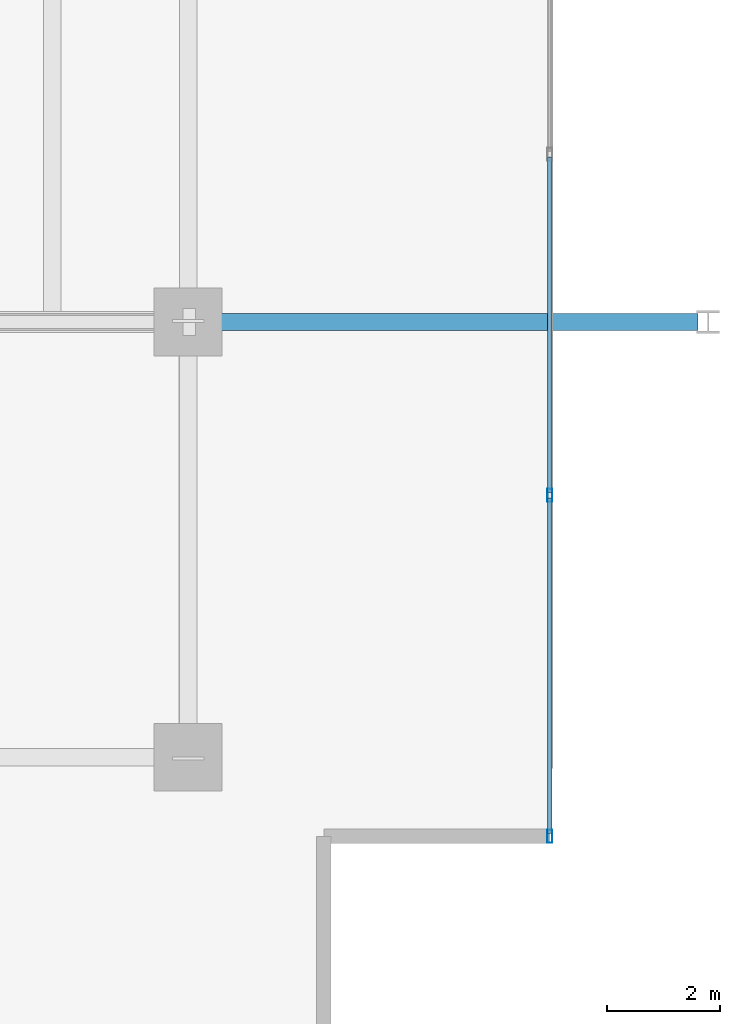
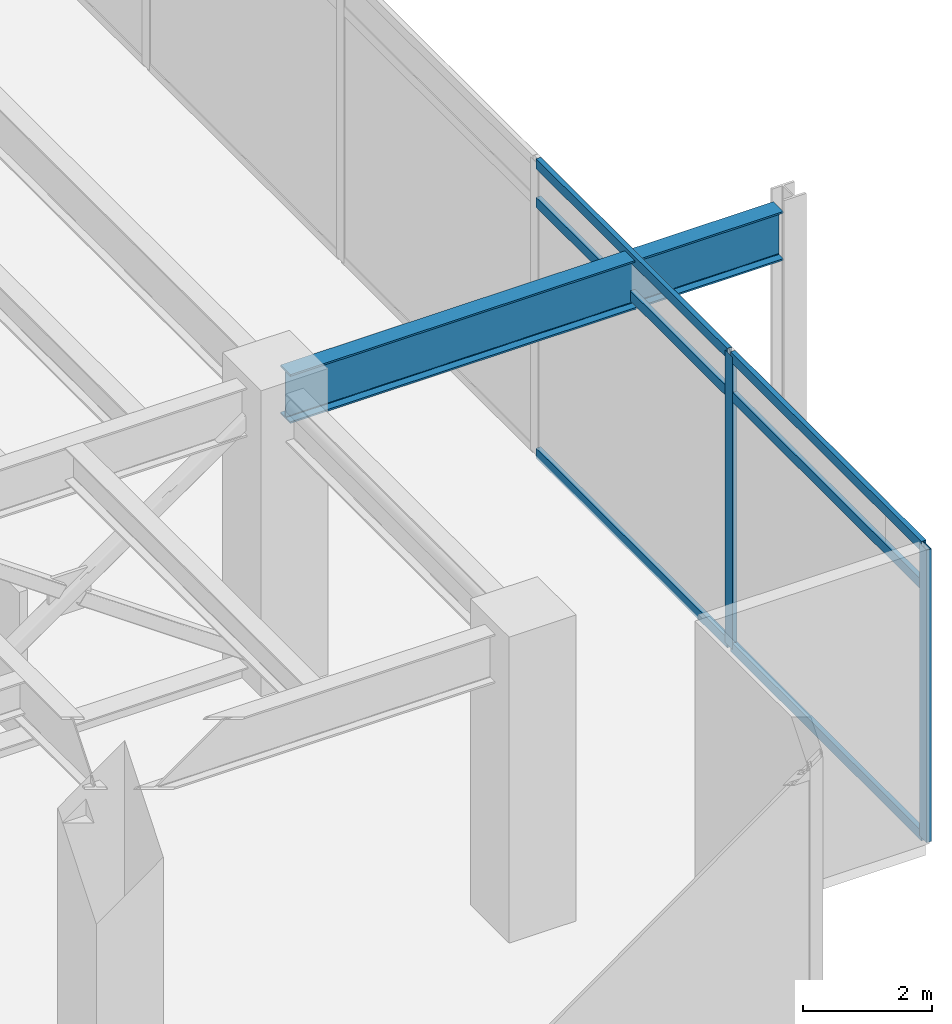
# One storey, part 9 of 26: 8 members, 1 beam, 1 element without a shape of its own.
"""IFC4 building model written with IfcOpenShell, lengths in metres."""

from ifc_helpers import new_model, si_unit, direction, frame, origin, origin_2d, place, context, subcontext, project, spatial, hollow_rectangle, i_section, extrude, material, material_profile, profile_set, type_object, element, aggregate, save


model = new_model("IFC4")

# Units and contexts
model_context = context("Model", 3, precision=1e-05, world=origin(), true_north=direction((0.0, 1.0)))
body_context = subcontext(model_context, "Body", "Model", "MODEL_VIEW")
ifc_project = project(units=[si_unit("LENGTHUNIT", "METRE"), si_unit("AREAUNIT", "SQUARE_METRE"), si_unit("VOLUMEUNIT", "CUBIC_METRE"), si_unit("PLANEANGLEUNIT", "RADIAN"), si_unit("MASSUNIT", "GRAM", prefix="KILO")], contexts=[model_context])

# Site, building, storey
site_placement = place(None, origin())
site = spatial("IfcSite", under=ifc_project, at=site_placement, CompositionType="ELEMENT")
building_placement = place(site_placement, origin())
building = spatial("IfcBuilding", under=site, at=building_placement, Name="Kovane Verandah Tower", CompositionType="ELEMENT")
storey_placement = place(building_placement, frame((0.0, 0.0, 301.0)))
storey = spatial("IfcBuildingStorey", under=building, at=storey_placement, Name="L70", CompositionType="ELEMENT", Elevation=301.0)

# Beam
ifc_material_1 = material(Name="Steel S460", Category="steel")
ifc_material_profile_1 = material_profile(ifc_material_1, i_section(OverallWidth=0.3076171875, OverallDepth=0.926513671875, WebThickness=0.01953125, FlangeThickness=0.031982421875, FilletRadius=0.01904296875, at=origin_2d()), Name="UB914x305x289")
ifc_profile_set_1 = profile_set([ifc_material_profile_1], Name="Steel S460")
beam_type = type_object("IfcBeamType", Name="BM-UB914x289", PredefinedType="BEAM", material=ifc_profile_set_1)
beam_placement = place(storey_placement, frame((58.580078125, 18.5, 5.0966796875), z_axis=(1.0, 0.0, 0.0), x_axis=(0.0, 1.0, 0.0)))
element("IfcBeam", 1, at=beam_placement, inside=storey, type_object=beam_type, Name="L70 Primary Tower Girder G-VE1", PredefinedType="BEAM", context=body_context, shape_type="SweptSolid", body=[
    extrude(i_section(OverallWidth=0.3076171875, OverallDepth=0.926513671875, WebThickness=0.01953125, FlangeThickness=0.031982421875, FilletRadius=0.01904296875, at=origin_2d()), origin(), (0.0, 0.0, 1.0), 8.83984375),
])

# Curtain wall, members
ifc_material_2 = material(Name="Champagne Anodised Aluminium Frame with Low-E Clear Laminated Glass", Category="aluminium")
curtain_wall_type = type_object("IfcCurtainWallType", Name="CW-SYS-05-HIGH", PredefinedType="NOTDEFINED", material=ifc_material_2)
curtain_wall_placement = place(storey_placement, origin())
curtain_wall = element("IfcCurtainWall", 2, at=curtain_wall_placement, inside=storey, type_object=curtain_wall_type, Name="L70 E Unitised Curtain Wall", PredefinedType="NOTDEFINED")
ifc_material_3 = material(Name="Champagne Anodised Aluminium 6063-T6", Category="aluminium")
ifc_material_profile_2 = material_profile(ifc_material_3, hollow_rectangle(XDim=0.0849609375, YDim=0.22998046875, WallThickness=0.00390625, at=origin_2d()), Name="AL85x230x4")
ifc_profile_set_2 = profile_set([ifc_material_profile_2], Name="Champagne Anodised Aluminium 6063-T6")
member_type_1 = type_object("IfcMemberType", Name="CW-MUL-85x230", PredefinedType="MULLION", material=ifc_profile_set_2)
member_1_placement = place(storey_placement, frame((64.800048828125, 9.39990234375, 0.02001953125), z_axis=(0.0, 0.0, 1.0), x_axis=(1.0, 0.0, 0.0)))
member_1 = element("IfcMember", 3, at=member_1_placement, type_object=member_type_1, Name="L70 E Unitised Curtain Wall Mullion 1", PredefinedType="MULLION", context=body_context, shape_type="SweptSolid", body=[
    extrude(hollow_rectangle(XDim=0.0849609375, YDim=0.22998046875, WallThickness=0.00390625, at=origin_2d()), origin(), (0.0, 0.0, 1.0), 5.544921875),
])
member_2_placement = place(storey_placement, frame((64.800048828125, 15.433349609375, 0.02001953125), z_axis=(0.0, 0.0, 1.0), x_axis=(1.0, 0.0, 0.0)))
member_2 = element("IfcMember", 4, at=member_2_placement, type_object=member_type_1, Name="L70 E Unitised Curtain Wall Mullion 2", PredefinedType="MULLION", context=body_context, shape_type="SweptSolid", body=[
    extrude(hollow_rectangle(XDim=0.0849609375, YDim=0.22998046875, WallThickness=0.00390625, at=origin_2d()), origin(), (0.0, 0.0, 1.0), 5.544921875),
])
ifc_material_profile_3 = material_profile(ifc_material_3, hollow_rectangle(XDim=0.0849609375, YDim=0.18994140625, WallThickness=0.00390625, at=origin_2d()), Name="AL85x190x4")
ifc_profile_set_3 = profile_set([ifc_material_profile_3], Name="Champagne Anodised Aluminium 6063-T6")
member_type_2 = type_object("IfcMemberType", Name="CW-TRN-85x190", PredefinedType="USERDEFINED", material=ifc_profile_set_3)
member_3_placement = place(storey_placement, frame((64.800048828125, 9.449951171875, 0.050048828125), z_axis=(0.0, 1.0, 0.0), x_axis=(-1.0, 0.0, 0.0)))
member_3 = element("IfcMember", 5, at=member_3_placement, type_object=member_type_2, Name="L70 E Unitised Curtain Wall Transom TB Bay 1", ObjectType="TRANSOM", PredefinedType="USERDEFINED", context=body_context, shape_type="SweptSolid", body=[
    extrude(hollow_rectangle(XDim=0.0849609375, YDim=0.18994140625, WallThickness=0.00390625, at=origin_2d()), origin(), (0.0, 0.0, 1.0), 5.933349609375),
])
member_4_placement = place(storey_placement, frame((64.800048828125, 9.449951171875, 4.804931640625), z_axis=(0.0, 1.0, 0.0), x_axis=(-1.0, 0.0, 0.0)))
member_4 = element("IfcMember", 6, at=member_4_placement, type_object=member_type_2, Name="L70 E Unitised Curtain Wall Transom TM Bay 1", ObjectType="TRANSOM", PredefinedType="USERDEFINED", context=body_context, shape_type="SweptSolid", body=[
    extrude(hollow_rectangle(XDim=0.0849609375, YDim=0.18994140625, WallThickness=0.00390625, at=origin_2d()), origin(), (0.0, 0.0, 1.0), 5.933349609375),
])
member_5_placement = place(storey_placement, frame((64.800048828125, 9.449951171875, 5.534912109375), z_axis=(0.0, 1.0, 0.0), x_axis=(-1.0, 0.0, 0.0)))
member_5 = element("IfcMember", 7, at=member_5_placement, type_object=member_type_2, Name="L70 E Unitised Curtain Wall Transom TT Bay 1", ObjectType="TRANSOM", PredefinedType="USERDEFINED", context=body_context, shape_type="SweptSolid", body=[
    extrude(hollow_rectangle(XDim=0.0849609375, YDim=0.18994140625, WallThickness=0.00390625, at=origin_2d()), origin(), (0.0, 0.0, 1.0), 5.933349609375),
])
member_6_placement = place(storey_placement, frame((64.800048828125, 15.4833984375, 0.050048828125), z_axis=(0.0, 1.0, 0.0), x_axis=(-1.0, 0.0, 0.0)))
member_6 = element("IfcMember", 8, at=member_6_placement, type_object=member_type_2, Name="L70 E Unitised Curtain Wall Transom TB Bay 2", ObjectType="TRANSOM", PredefinedType="USERDEFINED", context=body_context, shape_type="SweptSolid", body=[
    extrude(hollow_rectangle(XDim=0.0849609375, YDim=0.18994140625, WallThickness=0.00390625, at=origin_2d()), origin(), (0.0, 0.0, 1.0), 5.933349609375),
])
member_7_placement = place(storey_placement, frame((64.800048828125, 15.4833984375, 4.804931640625), z_axis=(0.0, 1.0, 0.0), x_axis=(-1.0, 0.0, 0.0)))
member_7 = element("IfcMember", 9, at=member_7_placement, type_object=member_type_2, Name="L70 E Unitised Curtain Wall Transom TM Bay 2", ObjectType="TRANSOM", PredefinedType="USERDEFINED", context=body_context, shape_type="SweptSolid", body=[
    extrude(hollow_rectangle(XDim=0.0849609375, YDim=0.18994140625, WallThickness=0.00390625, at=origin_2d()), origin(), (0.0, 0.0, 1.0), 5.933349609375),
])
member_8_placement = place(storey_placement, frame((64.800048828125, 15.4833984375, 5.534912109375), z_axis=(0.0, 1.0, 0.0), x_axis=(-1.0, 0.0, 0.0)))
member_8 = element("IfcMember", 10, at=member_8_placement, type_object=member_type_2, Name="L70 E Unitised Curtain Wall Transom TT Bay 2", ObjectType="TRANSOM", PredefinedType="USERDEFINED", context=body_context, shape_type="SweptSolid", body=[
    extrude(hollow_rectangle(XDim=0.0849609375, YDim=0.18994140625, WallThickness=0.00390625, at=origin_2d()), origin(), (0.0, 0.0, 1.0), 5.933349609375),
])
aggregate(curtain_wall, [member_1, member_2, member_3, member_4, member_5, member_6, member_7, member_8])

save(model, "model.ifc")
